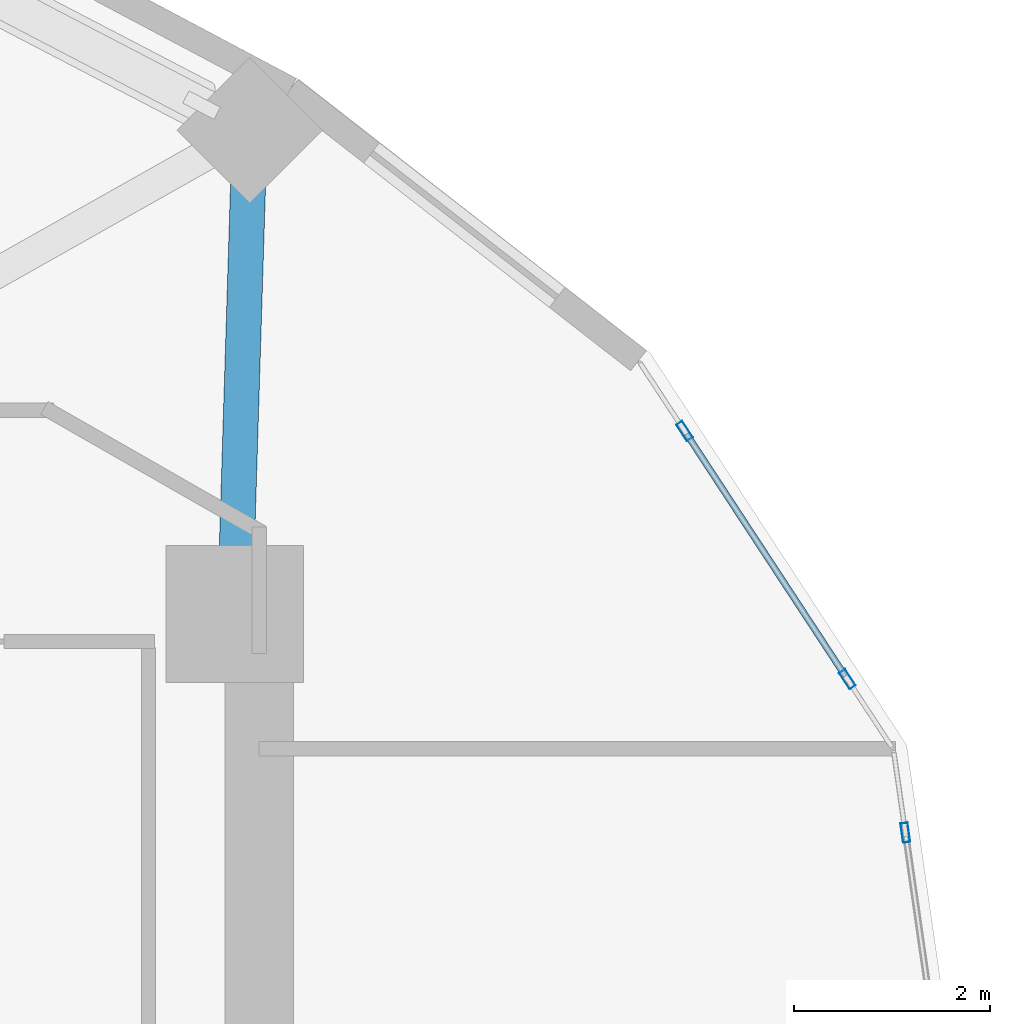
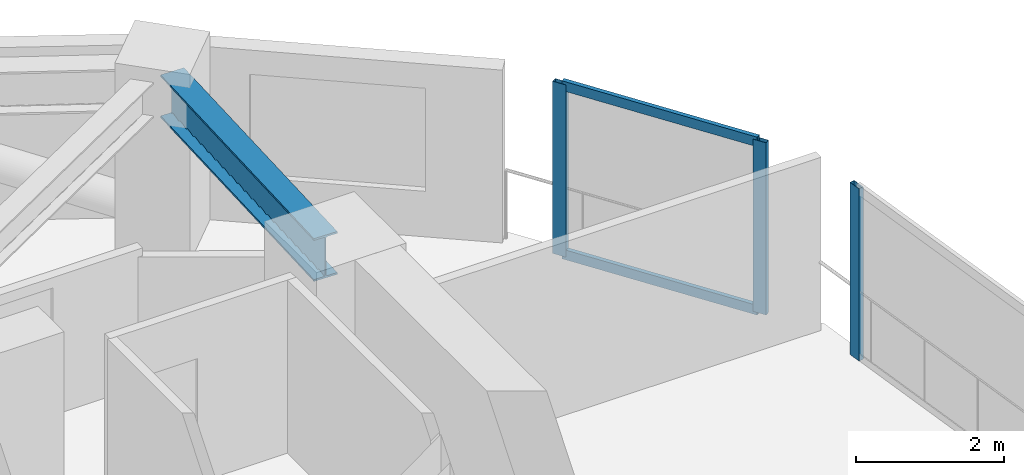
# One storey, part 7 of 18: 5 members, 1 beam, 2 elements without a shape of their own.
"""IFC4 building model written with IfcOpenShell, lengths in metres."""

from ifc_helpers import new_model, si_unit, direction, frame, origin, origin_2d, place, context, subcontext, project, spatial, hollow_rectangle, i_section, extrude, material, layer, layer_set, material_profile, profile_set, type_object, element, aggregate, save


model = new_model("IFC4")

# Units and contexts
model_context = context("Model", 3, precision=1e-05, world=origin(), true_north=direction((0.0, 1.0)))
body_context = subcontext(model_context, "Body", "Model", "MODEL_VIEW")
ifc_project = project(units=[si_unit("LENGTHUNIT", "METRE"), si_unit("AREAUNIT", "SQUARE_METRE"), si_unit("VOLUMEUNIT", "CUBIC_METRE"), si_unit("PLANEANGLEUNIT", "RADIAN"), si_unit("MASSUNIT", "GRAM", prefix="KILO")], contexts=[model_context])

# Site, building, storey
site_placement = place(None, origin())
site = spatial("IfcSite", under=ifc_project, at=site_placement, CompositionType="ELEMENT")
building_placement = place(site_placement, origin())
building = spatial("IfcBuilding", under=site, at=building_placement, Name="Solvane Sanctuary Tower", CompositionType="ELEMENT")
storey_placement = place(building_placement, frame((0.0, 0.0, 94.89990234375)))
storey = spatial("IfcBuildingStorey", under=building, at=storey_placement, Name="L28", CompositionType="ELEMENT", Elevation=94.89990234375)

# Beam
ifc_material_1 = material(Name="Steel ASTM A992 Grade 50", Category="steel")
ifc_material_profile_1 = material_profile(ifc_material_1, i_section(OverallWidth=0.35791015625, OverallDepth=0.7060546875, WebThickness=0.018310546875, FlangeThickness=0.0302734375, FilletRadius=0.01806640625, at=origin_2d()), Name="W27X178")
ifc_profile_set_1 = profile_set([ifc_material_profile_1], Name="Steel ASTM A992 Grade 50")
beam_type = type_object("IfcBeamType", Name="Beam B-SPAND-Z2 W27X178", PredefinedType="SPANDREL", material=ifc_profile_set_1)
beam_placement = place(storey_placement, frame((48.84423828125, 34.858154296875, 2.525146484375), z_axis=(-0.03093371985, -0.999521437977, 0.0), x_axis=(0.999521437977, -0.03093371985, 0.0)))
element("IfcBeam", 1, at=beam_placement, inside=storey, type_object=beam_type, Name="L28 Perimeter Spandrel Beam TC01-CE3", PredefinedType="SPANDREL", context=body_context, shape_type="SweptSolid", body=[
    extrude(i_section(OverallWidth=0.35791015625, OverallDepth=0.7060546875, WebThickness=0.018310546875, FlangeThickness=0.0302734375, FilletRadius=0.01806640625, at=origin_2d()), origin(), (0.0, 0.0, 1.0), 4.38037109375),
])

# Curtain wall, member
ifc_material_2 = material(Name="Anodised Aluminium 6063-T6", Category="aluminium")
ifc_layer = layer(ifc_material_2, 0.2099609375, Name="Anodised Aluminium 6063-T6")
ifc_layer_set = layer_set([ifc_layer], Name="Anodised Aluminium 6063-T6")
curtain_wall_type = type_object("IfcCurtainWallType", Name="Curtain Wall CW-PORTAL", PredefinedType="NOTDEFINED", material=ifc_layer_set)
curtain_wall_1_placement = place(storey_placement, origin())
curtain_wall_1 = element("IfcCurtainWall", 2, at=curtain_wall_1_placement, inside=storey, type_object=curtain_wall_type, Name="L28 CW-PORTAL Facade Run 00", PredefinedType="NOTDEFINED")
ifc_material_profile_2 = material_profile(ifc_material_2, hollow_rectangle(XDim=0.074951171875, YDim=0.199951171875, WallThickness=0.00390625, at=origin_2d()), Name="ALU200X75X4")
ifc_profile_set_2 = profile_set([ifc_material_profile_2], Name="Anodised Aluminium 6063-T6")
member_type_1 = type_object("IfcMemberType", Name="Member M-CW-MUL-1 ALU200X75X4", PredefinedType="MULLION", material=ifc_profile_set_2)
member_1_placement = place(storey_placement, frame((55.5439453125, 27.969970703125, 0.0), z_axis=(0.0, 0.0, 1.0), x_axis=(-0.989782250971, -0.142587151113, 0.0)))
member_1 = element("IfcMember", 3, at=member_1_placement, type_object=member_type_1, Name="CW-PORTAL mullion 2", PredefinedType="MULLION", context=body_context, shape_type="SweptSolid", body=[
    extrude(hollow_rectangle(XDim=0.074951171875, YDim=0.199951171875, WallThickness=0.00390625, at=origin_2d()), origin(), (0.0, 0.0, 1.0), 2.840087890625),
])
aggregate(curtain_wall_1, [member_1])

# Curtain wall, members
curtain_wall_2_placement = place(storey_placement, origin())
curtain_wall_2 = element("IfcCurtainWall", 4, at=curtain_wall_2_placement, inside=storey, type_object=curtain_wall_type, Name="L28 CW-PORTAL Facade Run 01", PredefinedType="NOTDEFINED")
member_2_placement = place(storey_placement, frame((54.95166015625, 29.535888671875, 0.0), z_axis=(0.0, 0.0, 1.0), x_axis=(-0.8362976391, -0.548275714249, 0.0)))
member_2 = element("IfcMember", 5, at=member_2_placement, type_object=member_type_1, Name="CW-PORTAL mullion 1", PredefinedType="MULLION", context=body_context, shape_type="SweptSolid", body=[
    extrude(hollow_rectangle(XDim=0.074951171875, YDim=0.199951171875, WallThickness=0.00390625, at=origin_2d()), origin(), (0.0, 0.0, 1.0), 2.840087890625),
])
member_3_placement = place(storey_placement, frame((53.290771484375, 32.0693359375, 0.0), z_axis=(0.0, 0.0, 1.0), x_axis=(-0.8362976391, -0.548275714249, 0.0)))
member_3 = element("IfcMember", 6, at=member_3_placement, type_object=member_type_1, Name="CW-PORTAL mullion 2", PredefinedType="MULLION", context=body_context, shape_type="SweptSolid", body=[
    extrude(hollow_rectangle(XDim=0.074951171875, YDim=0.199951171875, WallThickness=0.00390625, at=origin_2d()), origin(), (0.0, 0.0, 1.0), 2.840087890625),
])
ifc_material_profile_3 = material_profile(ifc_material_2, hollow_rectangle(XDim=0.06494140625, YDim=0.159912109375, WallThickness=0.00341796875, at=origin_2d()), Name="ALU160X65X3.5")
ifc_profile_set_3 = profile_set([ifc_material_profile_3], Name="Anodised Aluminium 6063-T6")
member_type_2 = type_object("IfcMemberType", Name="Member M-CW-TRN-1 ALU160X65X3.5", PredefinedType="USERDEFINED", material=ifc_profile_set_3)
member_4_placement = place(storey_placement, frame((54.93115234375, 29.567138671875, 0.03271484375), z_axis=(-0.548295383015, 0.836284743951, 0.0), x_axis=(-0.836284743951, -0.548295383015, 0.0)))
member_4 = element("IfcMember", 7, at=member_4_placement, type_object=member_type_2, Name="CW-PORTAL transom 1.1", ObjectType="TRANSOM", PredefinedType="USERDEFINED", context=body_context, shape_type="SweptSolid", body=[
    extrude(hollow_rectangle(XDim=0.06494140625, YDim=0.159912109375, WallThickness=0.00341796875, at=origin_2d()), origin(), (0.0, 0.0, 1.0), 2.954345703125),
])
member_5_placement = place(storey_placement, frame((54.93115234375, 29.567138671875, 2.8076171875), z_axis=(-0.548295383015, 0.836284743951, 0.0), x_axis=(-0.836284743951, -0.548295383015, 0.0)))
member_5 = element("IfcMember", 8, at=member_5_placement, type_object=member_type_2, Name="CW-PORTAL transom 1.2", ObjectType="TRANSOM", PredefinedType="USERDEFINED", context=body_context, shape_type="SweptSolid", body=[
    extrude(hollow_rectangle(XDim=0.06494140625, YDim=0.159912109375, WallThickness=0.00341796875, at=origin_2d()), origin(), (0.0, 0.0, 1.0), 2.954345703125),
])
aggregate(curtain_wall_2, [member_2, member_3, member_4, member_5])

save(model, "model.ifc")
